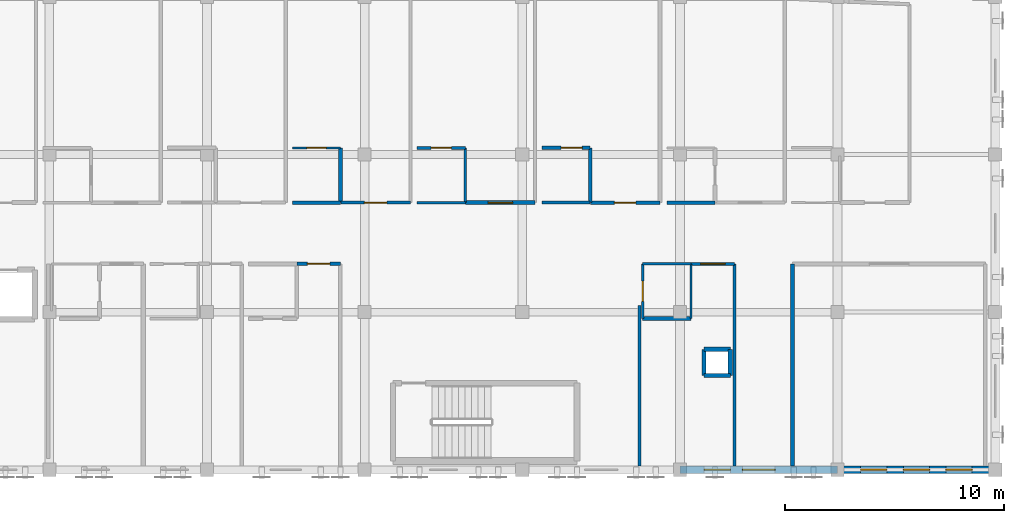
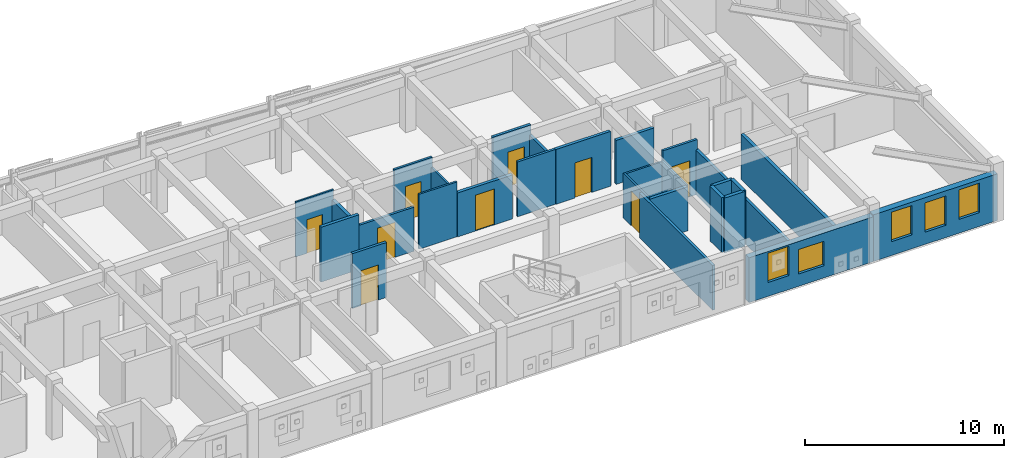
# One storey, part 45 of 51: 28 walls, 9 doors, 5 windows, 14 openings.
"""IFC4 building model written with IfcOpenShell, lengths in metres."""

from ifc_helpers import new_model, si_unit, direction, frame, frame_2d, origin, place, context, subcontext, project, spatial, rectangle, extrude, material, layer, layer_set, type_object, element, fill, save


model = new_model("IFC4")

# Units and contexts
model_context = context("Model", 3, precision=1e-05, world=origin(), true_north=direction((0.0, 1.0)))
body_context = subcontext(model_context, "Body", "Model", "MODEL_VIEW")
ifc_project = project(units=[si_unit("LENGTHUNIT", "METRE"), si_unit("AREAUNIT", "SQUARE_METRE"), si_unit("VOLUMEUNIT", "CUBIC_METRE"), si_unit("PLANEANGLEUNIT", "RADIAN"), si_unit("MASSUNIT", "GRAM", prefix="KILO")], contexts=[model_context])

# Site, building, storey
site_placement = place(None, origin())
site = spatial("IfcSite", under=ifc_project, at=site_placement, CompositionType="ELEMENT")
building_placement = place(site_placement, origin())
building = spatial("IfcBuilding", under=site, at=building_placement, Name="Carrowvane Square Congress Hotel", CompositionType="ELEMENT")
storey_placement = place(building_placement, frame((0.0, 0.0, 30.0)))
storey = spatial("IfcBuildingStorey", under=building, at=storey_placement, Name="L07", CompositionType="ELEMENT", Elevation=30.0)

# Wall, openings, windows
ifc_material_1 = material(Name="Glazed terracotta rainscreen", Category="masonry")
ifc_layer_1 = layer(ifc_material_1, 0.360107421875)
ifc_layer_set_1 = layer_set([ifc_layer_1], Name="Glazed terracotta rainscreen")
wall_type_1 = type_object("IfcWallType", Name="WL-EXT-TC360", PredefinedType="STANDARD", material=ifc_layer_set_1)
wall_1_placement = place(storey_placement, frame((162.800048828125, 91.800048828125, 0.0), z_axis=(0.0, 0.0, 1.0), x_axis=(-1.0, 0.0, 0.0)))
wall_1 = element("IfcWall", 1, at=wall_1_placement, inside=storey, type_object=wall_type_1, Name="L07 exterior facade wall 514", PredefinedType="STANDARD", context=body_context, shape_type="SweptSolid", body=[
    extrude(rectangle(XDim=7.199951171875, YDim=0.360107421875, at=frame_2d((3.60009765625, 0.0))), origin(), (0.0, 0.0, 1.0), 2.8603515625),
])
opening_1_placement = place(wall_1_placement, frame((3.0, 0.0, 0.75)))
opening_1 = element("IfcOpeningElement", 2, at=opening_1_placement, cuts=wall_1, Name="Opening W-01", PredefinedType="OPENING", context=body_context, shape_type="SweptSolid", body=[
    extrude(rectangle(XDim=1.199951171875, YDim=1.800048828125, at=frame_2d((0.60009765625, 0.89990234375))), frame((0.0, 0.18994140625, 0.0), z_axis=(0.0, -1.0, 0.0), x_axis=(1.0, 0.0, 0.0)), (0.0, 0.0, 1.0), 0.380126953125),
])
opening_2_placement = place(wall_1_placement, frame((1.050048828125, 0.0, 0.85009765625)))
opening_2 = element("IfcOpeningElement", 3, at=opening_2_placement, cuts=wall_1, Name="Opening W-01", PredefinedType="OPENING", context=body_context, shape_type="SweptSolid", body=[
    extrude(rectangle(XDim=1.199951171875, YDim=1.800048828125, at=frame_2d((0.60009765625, 0.89990234375))), frame((0.0, 0.18994140625, 0.0), z_axis=(0.0, -1.0, 0.0), x_axis=(1.0, 0.0, 0.0)), (0.0, 0.0, 1.0), 0.380126953125),
])
opening_3_placement = place(wall_1_placement, frame((4.949951171875, 0.0, 0.85009765625)))
opening_3 = element("IfcOpeningElement", 4, at=opening_3_placement, cuts=wall_1, Name="Opening W-01", PredefinedType="OPENING", context=body_context, shape_type="SweptSolid", body=[
    extrude(rectangle(XDim=1.199951171875, YDim=1.800048828125, at=frame_2d((0.60009765625, 0.89990234375))), frame((0.0, 0.18994140625, 0.0), z_axis=(0.0, -1.0, 0.0), x_axis=(1.0, 0.0, 0.0)), (0.0, 0.0, 1.0), 0.380126953125),
])
ifc_material_2 = material(Name="Double-glazed low-E glass", Category="glass")
window_type_1 = type_object("IfcWindowType", Name="WIN-01", PartitioningType="SINGLE_PANEL", PredefinedType="WINDOW", material=ifc_material_2)
window_1_placement = place(opening_1_placement, origin())
window_1 = element("IfcWindow", 5, at=window_1_placement, inside=storey, type_object=window_type_1, Name="L07 facade window 346", OverallHeight=1.800048828125, OverallWidth=1.199951171875, PartitioningType="SINGLE_PANEL", PredefinedType="WINDOW", context=body_context, shape_type="SweptSolid", body=[
    extrude(rectangle(XDim=1.199951171875, YDim=1.800048828125, at=frame_2d((0.60009765625, 0.89990234375))), frame((0.0, 0.030029296875, 0.0), z_axis=(0.0, -1.0, 0.0), x_axis=(1.0, 0.0, 0.0)), (0.0, 0.0, 1.0), 0.06005859375),
])
fill(opening_1, window_1)
window_2_placement = place(opening_2_placement, origin())
window_2 = element("IfcWindow", 6, at=window_2_placement, inside=storey, type_object=window_type_1, Name="L07 guest bedroom window 347", OverallHeight=1.800048828125, OverallWidth=1.199951171875, PartitioningType="SINGLE_PANEL", PredefinedType="WINDOW", context=body_context, shape_type="SweptSolid", body=[
    extrude(rectangle(XDim=1.199951171875, YDim=1.800048828125, at=frame_2d((0.60009765625, 0.89990234375))), frame((0.0, 0.030029296875, 0.0), z_axis=(0.0, -1.0, 0.0), x_axis=(1.0, 0.0, 0.0)), (0.0, 0.0, 1.0), 0.06005859375),
])
fill(opening_2, window_2)
window_3_placement = place(opening_3_placement, origin())
window_3 = element("IfcWindow", 7, at=window_3_placement, inside=storey, type_object=window_type_1, Name="L07 guest bedroom window 348", OverallHeight=1.800048828125, OverallWidth=1.199951171875, PartitioningType="SINGLE_PANEL", PredefinedType="WINDOW", context=body_context, shape_type="SweptSolid", body=[
    extrude(rectangle(XDim=1.199951171875, YDim=1.800048828125, at=frame_2d((0.60009765625, 0.89990234375))), frame((0.0, 0.030029296875, 0.0), z_axis=(0.0, -1.0, 0.0), x_axis=(1.0, 0.0, 0.0)), (0.0, 0.0, 1.0), 0.06005859375),
])
fill(opening_3, window_3)

wall_2_placement = place(storey_placement, frame((155.60009765625, 91.800048828125, 0.0), z_axis=(0.0, 0.0, 1.0), x_axis=(-1.0, 0.0, 0.0)))
wall_2 = element("IfcWall", 8, at=wall_2_placement, inside=storey, type_object=wall_type_1, Name="L07 exterior facade wall 515", PredefinedType="STANDARD", context=body_context, shape_type="SweptSolid", body=[
    extrude(rectangle(XDim=7.2001953125, YDim=0.360107421875, at=frame_2d((3.60009765625, 0.0))), origin(), (0.0, 0.0, 1.0), 2.7451171875),
])
opening_4_placement = place(wall_2_placement, frame((2.85009765625, 0.0, 0.75)))
opening_4 = element("IfcOpeningElement", 9, at=opening_4_placement, cuts=wall_2, Name="Opening W-15", PredefinedType="OPENING", context=body_context, shape_type="SweptSolid", body=[
    extrude(rectangle(XDim=1.5, YDim=1.5, at=frame_2d((0.75, 0.75))), frame((0.0, 0.18994140625, 0.0), z_axis=(0.0, -1.0, 0.0), x_axis=(1.0, 0.0, 0.0)), (0.0, 0.0, 1.0), 0.380126953125),
])
opening_5_placement = place(wall_2_placement, frame((4.89892578125, 0.0, 0.85009765625)))
opening_5 = element("IfcOpeningElement", 10, at=opening_5_placement, cuts=wall_2, Name="Opening W-01", PredefinedType="OPENING", context=body_context, shape_type="SweptSolid", body=[
    extrude(rectangle(XDim=1.199951171875, YDim=1.800048828125, at=frame_2d((0.60009765625, 0.89990234375))), frame((0.0, 0.18994140625, 0.0), z_axis=(0.0, -1.0, 0.0), x_axis=(1.0, 0.0, 0.0)), (0.0, 0.0, 1.0), 0.380126953125),
])
window_4_placement = place(opening_5_placement, origin())
window_4 = element("IfcWindow", 11, at=window_4_placement, inside=storey, type_object=window_type_1, Name="L07 guestroom daylight window L07-RM-S10", OverallHeight=1.800048828125, OverallWidth=1.199951171875, PartitioningType="SINGLE_PANEL", PredefinedType="WINDOW", context=body_context, shape_type="SweptSolid", body=[
    extrude(rectangle(XDim=1.199951171875, YDim=1.800048828125, at=frame_2d((0.60009765625, 0.89990234375))), frame((0.0, 0.030029296875, 0.0), z_axis=(0.0, -1.0, 0.0), x_axis=(1.0, 0.0, 0.0)), (0.0, 0.0, 1.0), 0.06005859375),
])
fill(opening_5, window_4)
ifc_material_3 = material(Name="Double-glazed low-E glass", Category="glass")
window_type_2 = type_object("IfcWindowType", Name="WIN-15", PartitioningType="SINGLE_PANEL", PredefinedType="WINDOW", material=ifc_material_3)
window_5_placement = place(opening_4_placement, origin())
window_5 = element("IfcWindow", 12, at=window_5_placement, inside=storey, type_object=window_type_2, Name="L07 facade window 349", OverallHeight=1.5, OverallWidth=1.5, PartitioningType="SINGLE_PANEL", PredefinedType="WINDOW", context=body_context, shape_type="SweptSolid", body=[
    extrude(rectangle(XDim=1.5, YDim=1.5, at=frame_2d((0.75, 0.75))), frame((0.0, 0.030029296875, 0.0), z_axis=(0.0, -1.0, 0.0), x_axis=(1.0, 0.0, 0.0)), (0.0, 0.0, 1.0), 0.06005859375),
])
fill(opening_4, window_5)

# Wall, opening, door
ifc_material_4 = material(Name="Acoustic gypsum board", Category="gypsum")
ifc_layer_2 = layer(ifc_material_4, 0.155029296875)
ifc_layer_set_2 = layer_set([ifc_layer_2], Name="Acoustic gypsum board")
wall_type_2 = type_object("IfcWallType", Name="WL-FIR-155", PredefinedType="PARTITIONING", material=ifc_layer_set_2)
wall_3_placement = place(storey_placement, frame((130.909912109375, 101.199951171875, 0.0), z_axis=(0.0, 0.0, 1.0), x_axis=(1.0, 0.0, 0.0)))
wall_3 = element("IfcWall", 13, at=wall_3_placement, inside=storey, type_object=wall_type_2, Name="L07 Hotel Guest Bedroom 0709 partition", PredefinedType="PARTITIONING", context=body_context, shape_type="SweptSolid", body=[
    extrude(rectangle(XDim=1.97998046875, YDim=0.155029296875, at=frame_2d((0.989990234375, 0.0))), origin(), (0.0, 0.0, 1.0), 3.360107421875),
])
opening_6_placement = place(wall_3_placement, frame((0.47998046875, 0.0, 0.0)))
opening_6 = element("IfcOpeningElement", 14, at=opening_6_placement, cuts=wall_3, Name="Opening FD-08", PredefinedType="OPENING", context=body_context, shape_type="SweptSolid", body=[
    extrude(rectangle(XDim=1.02001953125, YDim=2.14990234375, at=frame_2d((0.510009765625, 1.074951171875))), frame((0.0, 0.08740234375, 0.0), z_axis=(0.0, -1.0, 0.0), x_axis=(1.0, 0.0, 0.0)), (0.0, 0.0, 1.0), 0.175048828125),
])
ifc_material_5 = material(Name="European oak timber", Category="wood")
door_type_1 = type_object("IfcDoorType", Name="DR-FD30-1020x2150", OperationType="NOTDEFINED", PredefinedType="DOOR", material=ifc_material_5)
door_1_placement = place(opening_6_placement, origin())
door_1 = element("IfcDoor", 15, at=door_1_placement, inside=storey, type_object=door_type_1, Name="L07 Hotel Guest Bedroom 0709 entrance door", OperationType="SINGLE_SWING_RIGHT", OverallHeight=2.14990234375, OverallWidth=1.02001953125, PredefinedType="DOOR", context=body_context, shape_type="SweptSolid", body=[
    extrude(rectangle(XDim=1.02001953125, YDim=2.14990234375, at=frame_2d((0.510009765625, 1.074951171875))), frame((0.0, 0.02490234375, 0.0), z_axis=(0.0, -1.0, 0.0), x_axis=(1.0, 0.0, 0.0)), (0.0, 0.0, 1.0), 0.050048828125),
])
fill(opening_6, door_1)

# Wall
wall_4_placement = place(storey_placement, frame((150.889892578125, 101.199951171875, 0.0), z_axis=(0.0, 0.0, 1.0), x_axis=(0.0, -1.0, 0.0)))
element("IfcWall", 16, at=wall_4_placement, inside=storey, type_object=wall_type_2, Name="L07 Hotel Guest Bedroom 0710 partition", PredefinedType="PARTITIONING", context=body_context, shape_type="SweptSolid", body=[
    extrude(rectangle(XDim=9.239990234375, YDim=0.155029296875, at=frame_2d((4.6201171875, 0.0))), origin(), (0.0, 0.0, 1.0), 2.7451171875),
])

# Wall, opening, door
wall_5_placement = place(storey_placement, frame((142.10009765625, 106.5, 0.0), z_axis=(0.0, 0.0, 1.0), x_axis=(1.0, 0.0, 0.0)))
wall_5 = element("IfcWall", 17, at=wall_5_placement, inside=storey, type_object=wall_type_2, Name="L07 En-suite Bathroom 0726 partition", PredefinedType="PARTITIONING", context=body_context, shape_type="SweptSolid", body=[
    extrude(rectangle(XDim=2.199951171875, YDim=0.155029296875, at=frame_2d((1.10009765625, 0.0))), origin(), (0.0, 0.0, 1.0), 3.360107421875),
])
opening_7_placement = place(wall_5_placement, frame((0.8701171875, 0.0, 0.0)))
opening_7 = element("IfcOpeningElement", 18, at=opening_7_placement, cuts=wall_5, Name="Opening ID-05", PredefinedType="OPENING", context=body_context, shape_type="SweptSolid", body=[
    extrude(rectangle(XDim=0.9599609375, YDim=2.139892578125, at=frame_2d((0.47998046875, 1.06982421875))), frame((0.0, 0.08740234375, 0.0), z_axis=(0.0, -1.0, 0.0), x_axis=(1.0, 0.0, 0.0)), (0.0, 0.0, 1.0), 0.175048828125),
])
ifc_material_6 = material(Name="European oak timber", Category="wood")
door_type_2 = type_object("IfcDoorType", Name="DR-INT-0960x2140", OperationType="NOTDEFINED", PredefinedType="DOOR", material=ifc_material_6)
door_2_placement = place(opening_7_placement, origin())
door_2 = element("IfcDoor", 19, at=door_2_placement, inside=storey, type_object=door_type_2, Name="L07 En-suite Bathroom 0726 door", OperationType="SINGLE_SWING_LEFT", OverallHeight=2.139892578125, OverallWidth=0.9599609375, PredefinedType="DOOR", context=body_context, shape_type="SweptSolid", body=[
    extrude(rectangle(XDim=0.9599609375, YDim=2.139892578125, at=frame_2d((0.47998046875, 1.06982421875))), frame((0.0, 0.02490234375, 0.0), z_axis=(0.0, -1.0, 0.0), x_axis=(1.0, 0.0, 0.0)), (0.0, 0.0, 1.0), 0.050048828125),
])
fill(opening_7, door_2)

# Wall
ifc_material_7 = material(Name="Acoustic gypsum board", Category="gypsum")
ifc_layer_3 = layer(ifc_material_7, 0.169921875)
ifc_layer_set_3 = layer_set([ifc_layer_3], Name="Acoustic gypsum board")
wall_type_3 = type_object("IfcWallType", Name="WL-FIR-170", PredefinedType="PARTITIONING", material=ifc_layer_set_3)
wall_6_placement = place(storey_placement, frame((132.89990234375, 104.0, 0.0), z_axis=(0.0, 0.0, 1.0), x_axis=(-1.0, 0.0, 0.0)))
element("IfcWall", 20, at=wall_6_placement, inside=storey, type_object=wall_type_3, Name="L07 En-suite Bathroom 0724 partition", PredefinedType="PARTITIONING", context=body_context, shape_type="SweptSolid", body=[
    extrude(rectangle(XDim=2.199951171875, YDim=0.169921875, at=frame_2d((1.10009765625, 0.0))), origin(), (0.0, 0.0, 1.0), 3.360107421875),
])

# Wall, opening, door
wall_7_placement = place(storey_placement, frame((147.489990234375, 104.0, 0.0), z_axis=(0.0, 0.0, 1.0), x_axis=(-1.0, 0.0, 0.0)))
wall_7 = element("IfcWall", 21, at=wall_7_placement, inside=storey, type_object=wall_type_3, Name="L07 Parkview Suite 0726 partition", PredefinedType="PARTITIONING", context=body_context, shape_type="SweptSolid", body=[
    extrude(rectangle(XDim=3.179931640625, YDim=0.169921875, at=frame_2d((1.58984375, 0.0))), origin(), (0.0, 0.0, 1.0), 3.360107421875),
])
opening_8_placement = place(wall_7_placement, frame((1.10009765625, 0.0, 0.0)))
opening_8 = element("IfcOpeningElement", 22, at=opening_8_placement, cuts=wall_7, Name="Opening FD-07", PredefinedType="OPENING", context=body_context, shape_type="SweptSolid", body=[
    extrude(rectangle(XDim=0.97998046875, YDim=2.14990234375, at=frame_2d((0.489990234375, 1.074951171875))), frame((0.0, 0.094970703125, 0.0), z_axis=(0.0, -1.0, 0.0), x_axis=(1.0, 0.0, 0.0)), (0.0, 0.0, 1.0), 0.18994140625),
])
ifc_material_8 = material(Name="European oak timber", Category="wood")
door_type_3 = type_object("IfcDoorType", Name="DR-FD30-0980x2150", OperationType="NOTDEFINED", PredefinedType="DOOR", material=ifc_material_8)
door_3_placement = place(opening_8_placement, origin())
door_3 = element("IfcDoor", 23, at=door_3_placement, inside=storey, type_object=door_type_3, Name="L07 Parkview Suite 0726 entrance door", OperationType="SINGLE_SWING_RIGHT", OverallHeight=2.14990234375, OverallWidth=0.97998046875, PredefinedType="DOOR", context=body_context, shape_type="SweptSolid", body=[
    extrude(rectangle(XDim=0.97998046875, YDim=2.14990234375, at=frame_2d((0.489990234375, 1.074951171875))), frame((0.0, 0.02490234375, 0.0), z_axis=(0.0, -1.0, 0.0), x_axis=(1.0, 0.0, 0.0)), (0.0, 0.0, 1.0), 0.050048828125),
])
fill(opening_8, door_3)

# Walls
wall_8_placement = place(storey_placement, frame((150.0, 104.0, 0.0), z_axis=(0.0, 0.0, 1.0), x_axis=(-1.0, 0.0, 0.0)))
element("IfcWall", 24, at=wall_8_placement, inside=storey, type_object=wall_type_3, Name="L07 En-suite Bathroom 0727 partition", PredefinedType="PARTITIONING", context=body_context, shape_type="SweptSolid", body=[
    extrude(rectangle(XDim=2.199951171875, YDim=0.169921875, at=frame_2d((1.10009765625, 0.0))), origin(), (0.0, 0.0, 1.0), 2.695068359375),
])
ifc_material_9 = material(Name="Acoustic gypsum board", Category="gypsum")
ifc_layer_4 = layer(ifc_material_9, 0.18505859375)
ifc_layer_set_4 = layer_set([ifc_layer_4], Name="Acoustic gypsum board")
wall_type_4 = type_object("IfcWallType", Name="WL-FIR-185", PredefinedType="PARTITIONING", material=ifc_layer_set_4)
wall_9_placement = place(storey_placement, frame((153.550048828125, 91.9599609375, 0.0), z_axis=(0.0, 0.0, 1.0), x_axis=(0.0, 1.0, 0.0)))
element("IfcWall", 25, at=wall_9_placement, inside=storey, type_object=wall_type_4, Name="L07 L07 VIP Concierge Lounge partition", PredefinedType="PARTITIONING", context=body_context, shape_type="SweptSolid", body=[
    extrude(rectangle(XDim=9.239990234375, YDim=0.18505859375, at=frame_2d((4.6201171875, 0.0))), origin(), (0.0, 0.0, 1.0), 2.7451171875),
])
wall_10_placement = place(storey_placement, frame((148.89990234375, 98.699951171875, 0.0), z_axis=(0.0, 0.0, 1.0), x_axis=(-1.0, 0.0, 0.0)))
element("IfcWall", 26, at=wall_10_placement, inside=storey, type_object=wall_type_4, Name="L07 En-suite Bathroom 0710 partition", PredefinedType="PARTITIONING", context=body_context, shape_type="SweptSolid", body=[
    extrude(rectangle(XDim=2.199951171875, YDim=0.18505859375, at=frame_2d((1.10009765625, 0.0))), origin(), (0.0, 0.0, 1.0), 2.695068359375),
])
wall_11_placement = place(storey_placement, frame((132.89990234375, 106.5, 0.0), z_axis=(0.0, 0.0, 1.0), x_axis=(0.0, -1.0, 0.0)))
element("IfcWall", 27, at=wall_11_placement, inside=storey, type_object=wall_type_4, Name="L07 En-suite Bathroom 0724 partition", PredefinedType="PARTITIONING", context=body_context, shape_type="SweptSolid", body=[
    extrude(rectangle(XDim=2.5, YDim=0.18505859375, at=frame_2d((1.25, 0.0))), origin(), (0.0, 0.0, 1.0), 2.7451171875),
])

# Wall, opening, door
wall_12_placement = place(storey_placement, frame((141.7900390625, 104.0, 0.0), z_axis=(0.0, 0.0, 1.0), x_axis=(-1.0, 0.0, 0.0)))
wall_12 = element("IfcWall", 28, at=wall_12_placement, inside=storey, type_object=wall_type_4, Name="L07 Parkview Suite 0725 partition", PredefinedType="PARTITIONING", context=body_context, shape_type="SweptSolid", body=[
    extrude(rectangle(XDim=3.179931640625, YDim=0.18505859375, at=frame_2d((1.58984375, 0.0))), origin(), (0.0, 0.0, 1.0), 2.695068359375),
])
opening_9_placement = place(wall_12_placement, frame((1.030029296875, 0.0, 0.0)))
opening_9 = element("IfcOpeningElement", 29, at=opening_9_placement, cuts=wall_12, Name="Opening FD-10", PredefinedType="OPENING", context=body_context, shape_type="SweptSolid", body=[
    extrude(rectangle(XDim=1.1201171875, YDim=2.199951171875, at=frame_2d((0.56005859375, 1.10009765625))), frame((0.0, 0.1025390625, 0.0), z_axis=(0.0, -1.0, 0.0), x_axis=(1.0, 0.0, 0.0)), (0.0, 0.0, 1.0), 0.205078125),
])
ifc_material_10 = material(Name="European oak timber", Category="wood")
door_type_4 = type_object("IfcDoorType", Name="DR-FD30-1120x2200", OperationType="NOTDEFINED", PredefinedType="DOOR", material=ifc_material_10)
door_4_placement = place(opening_9_placement, origin())
door_4 = element("IfcDoor", 30, at=door_4_placement, inside=storey, type_object=door_type_4, Name="L07 Parkview Suite 0725 entrance door", OperationType="SINGLE_SWING_RIGHT", OverallHeight=2.199951171875, OverallWidth=1.1201171875, PredefinedType="DOOR", context=body_context, shape_type="SweptSolid", body=[
    extrude(rectangle(XDim=1.1201171875, YDim=2.199951171875, at=frame_2d((0.56005859375, 1.10009765625))), frame((0.0, 0.02490234375, 0.0), z_axis=(0.0, -1.0, 0.0), x_axis=(1.0, 0.0, 0.0)), (0.0, 0.0, 1.0), 0.050048828125),
])
fill(opening_9, door_4)

# Walls
ifc_material_11 = material(Name="Standing-seam zinc cladding", Category="metal")
ifc_layer_5 = layer(ifc_material_11, 0.195068359375)
ifc_layer_set_5 = layer_set([ifc_layer_5], Name="Standing-seam zinc cladding")
wall_type_5 = type_object("IfcWallType", Name="WL-PAR-195", PredefinedType="PARAPET", material=ifc_layer_set_5)
for number, where, z_axis, x_axis, name in (
    (31, (149.5, 96.10009765625, 0.0), (0.0, 0.0, 1.0), (1.0, 0.0, 0.0), "L07 service riser RSR-V5E enclosure S"),
    (32, (150.699951171875, 96.10009765625, 0.0), (0.0, 0.0, 1.0), (0.0, 1.0, 0.0), "L07 service riser RSR-V5E enclosure E"),
    (33, (150.699951171875, 97.300048828125, 0.0), (0.0, 0.0, 1.0), (-1.0, 0.0, 0.0), "L07 service riser RSR-V5E enclosure N"),
    (34, (149.5, 97.300048828125, 0.0), (0.0, 0.0, 1.0), (0.0, -1.0, 0.0), "L07 service riser RSR-V5E enclosure W"),
):
    element("IfcWall", number, at=place(storey_placement, frame(where, z_axis=z_axis, x_axis=x_axis)), inside=storey, type_object=wall_type_5, Name=name, PredefinedType="PARAPET", context=body_context, shape_type="SweptSolid", body=[
        extrude(rectangle(XDim=1.199951171875, YDim=0.195068359375, at=frame_2d((0.60009765625, 0.0))), origin(), (0.0, 0.0, 1.0), 3.360107421875),
    ])
ifc_material_12 = material(Name="Acoustic gypsum board", Category="gypsum")
ifc_layer_6 = layer(ifc_material_12, 0.097900390625)
ifc_layer_set_6 = layer_set([ifc_layer_6], Name="Acoustic gypsum board")
wall_type_6 = type_object("IfcWallType", Name="WL-PRT-098", PredefinedType="PARTITIONING", material=ifc_layer_set_6)
wall_13_placement = place(storey_placement, frame((148.89990234375, 101.199951171875, 0.0), z_axis=(0.0, 0.0, 1.0), x_axis=(0.0, -1.0, 0.0)))
element("IfcWall", 35, at=wall_13_placement, inside=storey, type_object=wall_type_6, Name="L07 En-suite Bathroom 0710 partition", PredefinedType="PARTITIONING", context=body_context, shape_type="SweptSolid", body=[
    extrude(rectangle(XDim=2.5, YDim=0.097900390625, at=frame_2d((1.25, 0.0))), origin(), (0.0, 0.0, 1.0), 2.7451171875),
])

# Wall, opening, door
wall_14_placement = place(storey_placement, frame((130.699951171875, 106.5, 0.0), z_axis=(0.0, 0.0, 1.0), x_axis=(1.0, 0.0, 0.0)))
wall_14 = element("IfcWall", 36, at=wall_14_placement, inside=storey, type_object=wall_type_6, Name="L07 En-suite Bathroom 0724 partition", PredefinedType="PARTITIONING", context=body_context, shape_type="SweptSolid", body=[
    extrude(rectangle(XDim=2.199951171875, YDim=0.097900390625, at=frame_2d((1.10009765625, 0.0))), origin(), (0.0, 0.0, 1.0), 3.360107421875),
])
opening_10_placement = place(wall_14_placement, frame((0.659912109375, 0.0, 0.0)))
opening_10 = element("IfcOpeningElement", 37, at=opening_10_placement, cuts=wall_14, Name="Opening ID-01", PredefinedType="OPENING", context=body_context, shape_type="SweptSolid", body=[
    extrude(rectangle(XDim=0.8798828125, YDim=2.06005859375, at=frame_2d((0.43994140625, 1.030029296875))), frame((0.0, 0.058837890625, 0.0), z_axis=(0.0, -1.0, 0.0), x_axis=(1.0, 0.0, 0.0)), (0.0, 0.0, 1.0), 0.117919921875),
])
ifc_material_13 = material(Name="European oak timber", Category="wood")
door_type_5 = type_object("IfcDoorType", Name="DR-INT-0880x2060", OperationType="NOTDEFINED", PredefinedType="DOOR", material=ifc_material_13)
door_5_placement = place(opening_10_placement, origin())
door_5 = element("IfcDoor", 38, at=door_5_placement, inside=storey, type_object=door_type_5, Name="L07 En-suite Bathroom 0724 door", OperationType="SINGLE_SWING_LEFT", OverallHeight=2.06005859375, OverallWidth=0.8798828125, PredefinedType="DOOR", context=body_context, shape_type="SweptSolid", body=[
    extrude(rectangle(XDim=0.8798828125, YDim=2.06005859375, at=frame_2d((0.43994140625, 1.030029296875))), frame((0.0, 0.02490234375, 0.0), z_axis=(0.0, -1.0, 0.0), x_axis=(1.0, 0.0, 0.0)), (0.0, 0.0, 1.0), 0.050048828125),
])
fill(opening_10, door_5)

# Walls
ifc_material_14 = material(Name="Acoustic gypsum board", Category="gypsum")
ifc_layer_7 = layer(ifc_material_14, 0.10791015625)
ifc_layer_set_7 = layer_set([ifc_layer_7], Name="Acoustic gypsum board")
wall_type_7 = type_object("IfcWallType", Name="WL-PRT-108", PredefinedType="PARTITIONING", material=ifc_layer_set_7)
wall_15_placement = place(storey_placement, frame((146.699951171875, 101.199951171875, 0.0), z_axis=(0.0, 0.0, 1.0), x_axis=(1.0, 0.0, 0.0)))
element("IfcWall", 39, at=wall_15_placement, inside=storey, type_object=wall_type_7, Name="L07 En-suite Bathroom 0710 partition", PredefinedType="PARTITIONING", context=body_context, shape_type="SweptSolid", body=[
    extrude(rectangle(XDim=2.199951171875, YDim=0.10791015625, at=frame_2d((1.10009765625, 0.0))), origin(), (0.0, 0.0, 1.0), 2.695068359375),
])
wall_16_placement = place(storey_placement, frame((138.60009765625, 104.0, 0.0), z_axis=(0.0, 0.0, 1.0), x_axis=(-1.0, 0.0, 0.0)))
element("IfcWall", 40, at=wall_16_placement, inside=storey, type_object=wall_type_7, Name="L07 En-suite Bathroom 0725 partition", PredefinedType="PARTITIONING", context=body_context, shape_type="SweptSolid", body=[
    extrude(rectangle(XDim=2.2001953125, YDim=0.10791015625, at=frame_2d((1.10009765625, 0.0))), origin(), (0.0, 0.0, 1.0), 3.360107421875),
])

# Wall, opening, door
ifc_material_15 = material(Name="Acoustic gypsum board", Category="gypsum")
ifc_layer_8 = layer(ifc_material_15, 0.117919921875)
ifc_layer_set_8 = layer_set([ifc_layer_8], Name="Acoustic gypsum board")
wall_type_8 = type_object("IfcWallType", Name="WL-PRT-118", PredefinedType="PARTITIONING", material=ifc_layer_set_8)
wall_17_placement = place(storey_placement, frame((146.699951171875, 98.699951171875, 0.0), z_axis=(0.0, 0.0, 1.0), x_axis=(0.0, 1.0, 0.0)))
wall_17 = element("IfcWall", 41, at=wall_17_placement, inside=storey, type_object=wall_type_8, Name="L07 En-suite Bathroom 0710 partition", PredefinedType="PARTITIONING", context=body_context, shape_type="SweptSolid", body=[
    extrude(rectangle(XDim=2.5, YDim=0.117919921875, at=frame_2d((1.25, 0.0))), origin(), (0.0, 0.0, 1.0), 2.7451171875),
])
opening_11_placement = place(wall_17_placement, frame((0.784912109375, 0.0, 0.0)))
opening_11 = element("IfcOpeningElement", 42, at=opening_11_placement, cuts=wall_17, Name="Opening ID-18", PredefinedType="OPENING", context=body_context, shape_type="SweptSolid", body=[
    extrude(rectangle(XDim=0.929931640625, YDim=2.1298828125, at=frame_2d((0.46484375, 1.06494140625))), frame((0.0, 0.06884765625, 0.0), z_axis=(0.0, -1.0, 0.0), x_axis=(1.0, 0.0, 0.0)), (0.0, 0.0, 1.0), 0.137939453125),
])
ifc_material_16 = material(Name="European oak timber", Category="wood")
door_type_6 = type_object("IfcDoorType", Name="DR-INT-0930x2130", OperationType="NOTDEFINED", PredefinedType="DOOR", material=ifc_material_16)
door_6_placement = place(opening_11_placement, origin())
door_6 = element("IfcDoor", 43, at=door_6_placement, inside=storey, type_object=door_type_6, Name="L07 En-suite Bathroom 0710 door", OperationType="SINGLE_SWING_LEFT", OverallHeight=2.1298828125, OverallWidth=0.929931640625, PredefinedType="DOOR", context=body_context, shape_type="SweptSolid", body=[
    extrude(rectangle(XDim=0.929931640625, YDim=2.1298828125, at=frame_2d((0.46484375, 1.06494140625))), frame((0.0, 0.02490234375, 0.0), z_axis=(0.0, -1.0, 0.0), x_axis=(1.0, 0.0, 0.0)), (0.0, 0.0, 1.0), 0.050048828125),
])
fill(opening_11, door_6)

# Wall
wall_18_placement = place(storey_placement, frame((138.60009765625, 106.5, 0.0), z_axis=(0.0, 0.0, 1.0), x_axis=(0.0, -1.0, 0.0)))
element("IfcWall", 44, at=wall_18_placement, inside=storey, type_object=wall_type_8, Name="L07 En-suite Bathroom 0725 partition", PredefinedType="PARTITIONING", context=body_context, shape_type="SweptSolid", body=[
    extrude(rectangle(XDim=2.5, YDim=0.117919921875, at=frame_2d((1.25, 0.0))), origin(), (0.0, 0.0, 1.0), 2.7451171875),
])

# Wall, opening, door
ifc_material_17 = material(Name="Acoustic gypsum board", Category="gypsum")
ifc_layer_9 = layer(ifc_material_17, 0.1279296875)
ifc_layer_set_9 = layer_set([ifc_layer_9], Name="Acoustic gypsum board")
wall_type_9 = type_object("IfcWallType", Name="WL-PRT-128", PredefinedType="PARTITIONING", material=ifc_layer_set_9)
wall_19_placement = place(storey_placement, frame((136.39990234375, 106.5, 0.0), z_axis=(0.0, 0.0, 1.0), x_axis=(1.0, 0.0, 0.0)))
wall_19 = element("IfcWall", 45, at=wall_19_placement, inside=storey, type_object=wall_type_9, Name="L07 En-suite Bathroom 0725 partition", PredefinedType="PARTITIONING", context=body_context, shape_type="SweptSolid", body=[
    extrude(rectangle(XDim=2.2001953125, YDim=0.1279296875, at=frame_2d((1.10009765625, 0.0))), origin(), (0.0, 0.0, 1.0), 3.360107421875),
])
opening_12_placement = place(wall_19_placement, frame((0.639892578125, 0.0, 0.0)))
opening_12 = element("IfcOpeningElement", 46, at=opening_12_placement, cuts=wall_19, Name="Opening ID-03", PredefinedType="OPENING", context=body_context, shape_type="SweptSolid", body=[
    extrude(rectangle(XDim=0.919921875, YDim=2.10009765625, at=frame_2d((0.4599609375, 1.050048828125))), frame((0.0, 0.073974609375, 0.0), z_axis=(0.0, -1.0, 0.0), x_axis=(1.0, 0.0, 0.0)), (0.0, 0.0, 1.0), 0.14794921875),
])
ifc_material_18 = material(Name="European oak timber", Category="wood")
door_type_7 = type_object("IfcDoorType", Name="DR-INT-0920x2100", OperationType="NOTDEFINED", PredefinedType="DOOR", material=ifc_material_18)
door_7_placement = place(opening_12_placement, origin())
door_7 = element("IfcDoor", 47, at=door_7_placement, inside=storey, type_object=door_type_7, Name="L07 En-suite Bathroom 0725 door", OperationType="SINGLE_SWING_LEFT", OverallHeight=2.10009765625, OverallWidth=0.919921875, PredefinedType="DOOR", context=body_context, shape_type="SweptSolid", body=[
    extrude(rectangle(XDim=0.919921875, YDim=2.10009765625, at=frame_2d((0.4599609375, 1.050048828125))), frame((0.0, 0.02490234375, 0.0), z_axis=(0.0, -1.0, 0.0), x_axis=(1.0, 0.0, 0.0)), (0.0, 0.0, 1.0), 0.050048828125),
])
fill(opening_12, door_7)

ifc_material_19 = material(Name="Acoustic gypsum board", Category="gypsum")
ifc_layer_10 = layer(ifc_material_19, 0.137939453125)
ifc_layer_set_10 = layer_set([ifc_layer_10], Name="Acoustic gypsum board")
wall_type_10 = type_object("IfcWallType", Name="WL-PRT-138", PredefinedType="PARTITIONING", material=ifc_layer_set_10)
wall_20_placement = place(storey_placement, frame((148.909912109375, 101.199951171875, 0.0), z_axis=(0.0, 0.0, 1.0), x_axis=(1.0, 0.0, 0.0)))
wall_20 = element("IfcWall", 48, at=wall_20_placement, inside=storey, type_object=wall_type_10, Name="L07 Hotel Guest Bedroom 0710 partition", PredefinedType="PARTITIONING", context=body_context, shape_type="SweptSolid", body=[
    extrude(rectangle(XDim=1.97998046875, YDim=0.137939453125, at=frame_2d((0.989990234375, 0.0))), origin(), (0.0, 0.0, 1.0), 3.360107421875),
])
opening_13_placement = place(wall_20_placement, frame((0.429931640625, 0.0, 0.0)))
opening_13 = element("IfcOpeningElement", 49, at=opening_13_placement, cuts=wall_20, Name="Opening FD-10", PredefinedType="OPENING", context=body_context, shape_type="SweptSolid", body=[
    extrude(rectangle(XDim=1.1201171875, YDim=2.199951171875, at=frame_2d((0.56005859375, 1.10009765625))), frame((0.0, 0.078857421875, 0.0), z_axis=(0.0, -1.0, 0.0), x_axis=(1.0, 0.0, 0.0)), (0.0, 0.0, 1.0), 0.157958984375),
])
door_8_placement = place(opening_13_placement, origin())
door_8 = element("IfcDoor", 50, at=door_8_placement, inside=storey, type_object=door_type_4, Name="L07 Hotel Guest Bedroom 0710 entrance door", OperationType="SINGLE_SWING_RIGHT", OverallHeight=2.199951171875, OverallWidth=1.1201171875, PredefinedType="DOOR", context=body_context, shape_type="SweptSolid", body=[
    extrude(rectangle(XDim=1.1201171875, YDim=2.199951171875, at=frame_2d((0.56005859375, 1.10009765625))), frame((0.0, 0.02490234375, 0.0), z_axis=(0.0, -1.0, 0.0), x_axis=(1.0, 0.0, 0.0)), (0.0, 0.0, 1.0), 0.050048828125),
])
fill(opening_13, door_8)

wall_21_placement = place(storey_placement, frame((136.090087890625, 104.0, 0.0), z_axis=(0.0, 0.0, 1.0), x_axis=(-1.0, 0.0, 0.0)))
wall_21 = element("IfcWall", 51, at=wall_21_placement, inside=storey, type_object=wall_type_10, Name="L07 Parkview Suite 0724 partition", PredefinedType="PARTITIONING", context=body_context, shape_type="SweptSolid", body=[
    extrude(rectangle(XDim=3.18017578125, YDim=0.137939453125, at=frame_2d((1.590087890625, 0.0))), origin(), (0.0, 0.0, 1.0), 2.695068359375),
])
opening_14_placement = place(wall_21_placement, frame((1.080078125, 0.0, 0.0)))
opening_14 = element("IfcOpeningElement", 52, at=opening_14_placement, cuts=wall_21, Name="Opening FD-08", PredefinedType="OPENING", context=body_context, shape_type="SweptSolid", body=[
    extrude(rectangle(XDim=1.02001953125, YDim=2.14990234375, at=frame_2d((0.510009765625, 1.074951171875))), frame((0.0, 0.078857421875, 0.0), z_axis=(0.0, -1.0, 0.0), x_axis=(1.0, 0.0, 0.0)), (0.0, 0.0, 1.0), 0.157958984375),
])
door_9_placement = place(opening_14_placement, origin())
door_9 = element("IfcDoor", 53, at=door_9_placement, inside=storey, type_object=door_type_1, Name="L07 Parkview Suite 0724 entrance door", OperationType="SINGLE_SWING_RIGHT", OverallHeight=2.14990234375, OverallWidth=1.02001953125, PredefinedType="DOOR", context=body_context, shape_type="SweptSolid", body=[
    extrude(rectangle(XDim=1.02001953125, YDim=2.14990234375, at=frame_2d((0.510009765625, 1.074951171875))), frame((0.0, 0.02490234375, 0.0), z_axis=(0.0, -1.0, 0.0), x_axis=(1.0, 0.0, 0.0)), (0.0, 0.0, 1.0), 0.050048828125),
])
fill(opening_14, door_9)

# Walls
wall_22_placement = place(storey_placement, frame((144.300048828125, 104.0, 0.0), z_axis=(0.0, 0.0, 1.0), x_axis=(-1.0, 0.0, 0.0)))
element("IfcWall", 54, at=wall_22_placement, inside=storey, type_object=wall_type_10, Name="L07 En-suite Bathroom 0726 partition", PredefinedType="PARTITIONING", context=body_context, shape_type="SweptSolid", body=[
    extrude(rectangle(XDim=2.199951171875, YDim=0.137939453125, at=frame_2d((1.10009765625, 0.0))), origin(), (0.0, 0.0, 1.0), 3.360107421875),
])
ifc_material_20 = material(Name="Acoustic gypsum board", Category="gypsum")
ifc_layer_11 = layer(ifc_material_20, 0.14794921875)
ifc_layer_set_11 = layer_set([ifc_layer_11], Name="Acoustic gypsum board")
wall_type_11 = type_object("IfcWallType", Name="WL-PRT-148", PredefinedType="PARTITIONING", material=ifc_layer_set_11)
wall_23_placement = place(storey_placement, frame((146.550048828125, 91.9599609375, 0.0), z_axis=(0.0, 0.0, 1.0), x_axis=(0.0, 1.0, 0.0)))
element("IfcWall", 55, at=wall_23_placement, inside=storey, type_object=wall_type_11, Name="L07 Hotel Guest Bedroom 0710 partition", PredefinedType="PARTITIONING", context=body_context, shape_type="SweptSolid", body=[
    extrude(rectangle(XDim=7.344970703125, YDim=0.14794921875, at=frame_2d((3.67236328125, 0.0))), origin(), (0.0, 0.0, 1.0), 2.7451171875),
])
wall_24_placement = place(storey_placement, frame((144.300048828125, 106.5, 0.0), z_axis=(0.0, 0.0, 1.0), x_axis=(0.0, -1.0, 0.0)))
element("IfcWall", 56, at=wall_24_placement, inside=storey, type_object=wall_type_11, Name="L07 En-suite Bathroom 0726 partition", PredefinedType="PARTITIONING", context=body_context, shape_type="SweptSolid", body=[
    extrude(rectangle(XDim=2.5, YDim=0.14794921875, at=frame_2d((1.25, 0.0))), origin(), (0.0, 0.0, 1.0), 2.7451171875),
])

save(model, "model.ifc")
